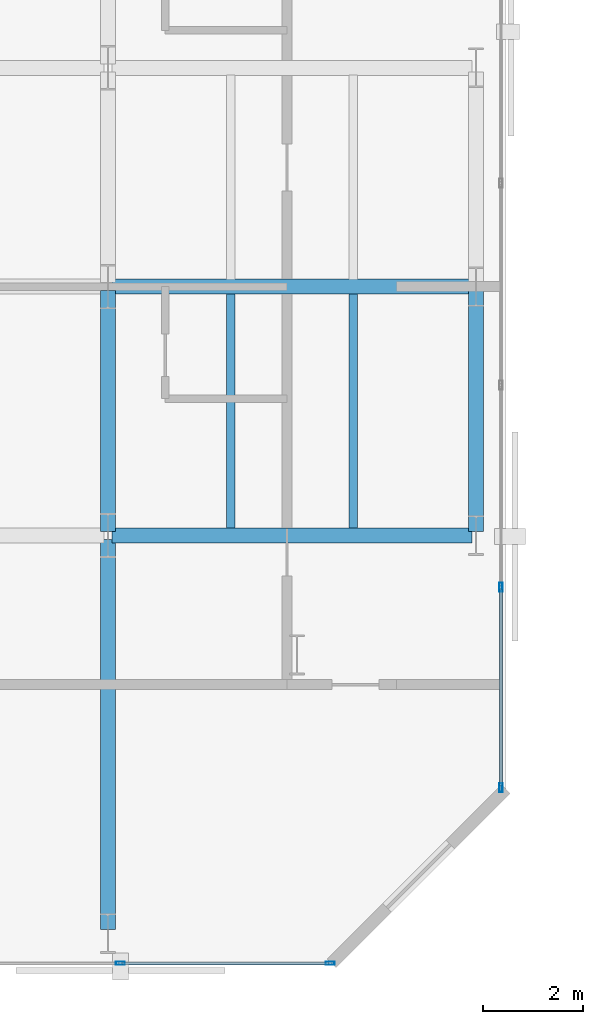
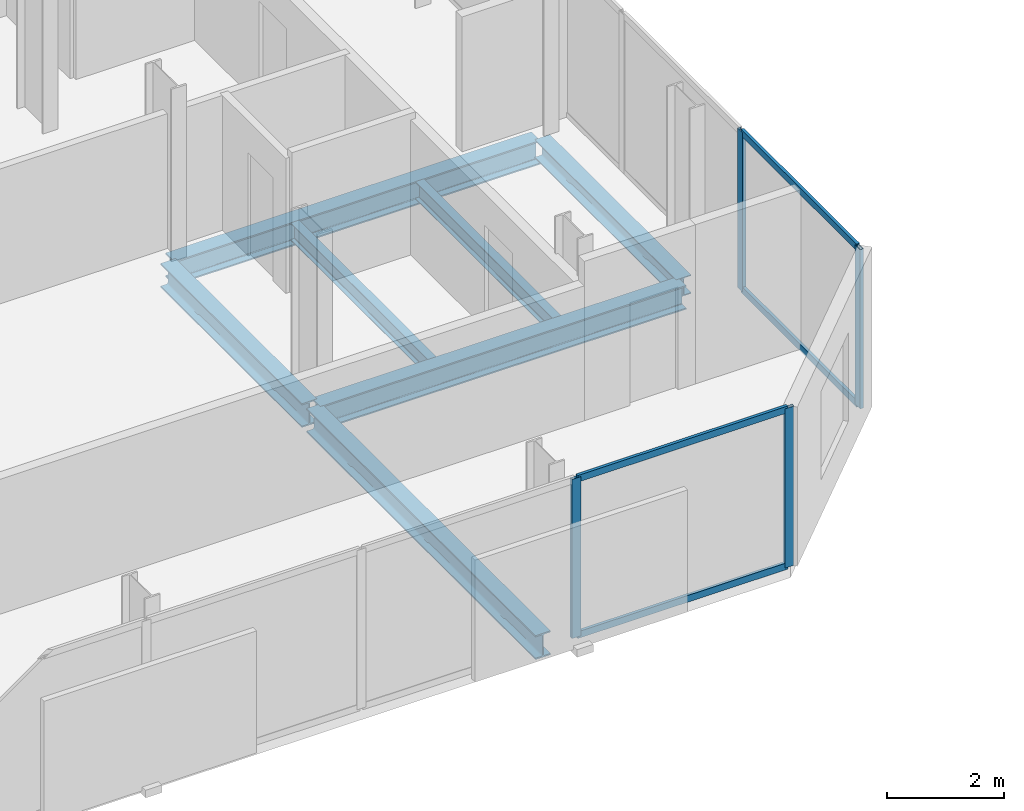
# One storey, part 7 of 33: 8 members, 7 beams, 2 elements without a shape of their own.
"""IFC4 building model written with IfcOpenShell, lengths in metres."""

from ifc_helpers import new_model, si_unit, direction, frame, origin, origin_2d, place, context, subcontext, project, spatial, hollow_rectangle, i_section, extrude, material, layer, layer_set, material_profile, profile_set, type_object, element, aggregate, save


model = new_model("IFC4")

# Units and contexts
model_context = context("Model", 3, precision=1e-05, world=origin(), true_north=direction((0.0, 1.0)))
body_context = subcontext(model_context, "Body", "Model", "MODEL_VIEW")
ifc_project = project(units=[si_unit("LENGTHUNIT", "METRE"), si_unit("AREAUNIT", "SQUARE_METRE"), si_unit("VOLUMEUNIT", "CUBIC_METRE"), si_unit("PLANEANGLEUNIT", "RADIAN"), si_unit("MASSUNIT", "GRAM", prefix="KILO")], contexts=[model_context])

# Site, building, storey
site_placement = place(None, origin())
site = spatial("IfcSite", under=ifc_project, at=site_placement, CompositionType="ELEMENT")
building_placement = place(site_placement, origin())
building = spatial("IfcBuilding", under=site, at=building_placement, Name="Catumbela Crestline Tower", CompositionType="ELEMENT")
storey_placement = place(building_placement, frame((0.0, 0.0, 51.0)))
storey = spatial("IfcBuildingStorey", under=building, at=storey_placement, Name="L12", CompositionType="ELEMENT", Elevation=51.0)

# Beams
ifc_material_1 = material(Name="Structural steel S355J2", Category="steel")
ifc_material_profile_1 = material_profile(ifc_material_1, i_section(OverallWidth=0.3, OverallDepth=0.5, WebThickness=0.0145, FlangeThickness=0.028, FilletRadius=0.027, at=origin_2d()), Name="HEB 500")
ifc_profile_set_1 = profile_set([ifc_material_profile_1], Name="Structural steel S355J2")
beam_type_1 = type_object("IfcBeamType", Name="BG-HEB500", PredefinedType="BEAM", material=ifc_profile_set_1)
for number, where, z_axis, x_axis, name in (
    (1, (16.08, 8.6, -0.51), (1.0, 0.0, 0.0), (0.0, 1.0, 0.0), "L12 Beam BM-L12-WEW50"),
    (2, (16.08, 13.6, -0.51), (1.0, 0.0, 0.0), (0.0, 1.0, 0.0), "L12 Beam BM-L12-WEW53"),
):
    element("IfcBeam", number, at=place(storey_placement, frame(where, z_axis=z_axis, x_axis=x_axis)), inside=storey, type_object=beam_type_1, Name=name, PredefinedType="BEAM", context=body_context, shape_type="SweptSolid", body=[
        extrude(i_section(OverallWidth=0.3, OverallDepth=0.5, WebThickness=0.0145, FlangeThickness=0.028, FilletRadius=0.027, at=origin_2d()), origin(), (0.0, 0.0, 1.0), 7.24),
    ])
beam_1_placement = place(storey_placement, frame((16.0, 0.68, -0.51), z_axis=(0.0, 1.0, 0.0), x_axis=(-1.0, 0.0, 0.0)))
element("IfcBeam", 3, at=beam_1_placement, inside=storey, type_object=beam_type_1, Name="L12 Beam BM-L12-WNS64", PredefinedType="BEAM", context=body_context, shape_type="SweptSolid", body=[
    extrude(i_section(OverallWidth=0.3, OverallDepth=0.5, WebThickness=0.0145, FlangeThickness=0.028, FilletRadius=0.027, at=origin_2d()), origin(), (0.0, 0.0, 1.0), 7.84),
])
beam_2_placement = place(storey_placement, frame((16.0, 8.68, -0.51), z_axis=(0.0, 1.0, 0.0), x_axis=(-1.0, 0.0, 0.0)))
element("IfcBeam", 4, at=beam_2_placement, inside=storey, type_object=beam_type_1, Name="L12 Beam BM-L12-WNS65", PredefinedType="BEAM", context=body_context, shape_type="SweptSolid", body=[
    extrude(i_section(OverallWidth=0.3, OverallDepth=0.5, WebThickness=0.0145, FlangeThickness=0.028, FilletRadius=0.027, at=origin_2d()), origin(), (0.0, 0.0, 1.0), 4.84),
])
ifc_material_profile_2 = material_profile(ifc_material_1, i_section(OverallWidth=0.17, OverallDepth=0.36, WebThickness=0.008, FlangeThickness=0.0127, FilletRadius=0.018, at=origin_2d()), Name="IPE 360")
ifc_profile_set_2 = profile_set([ifc_material_profile_2], Name="Structural steel S355J2")
beam_type_2 = type_object("IfcBeamType", Name="BJ-IPE360", PredefinedType="JOIST", material=ifc_profile_set_2)
for number, where, z_axis, x_axis, name in (
    (5, (18.467, 8.747, -0.44), (0.0, 1.0, 0.0), (-1.0, 0.0, 0.0), "L12 Joist JS-L12-WG74"),
    (6, (20.933, 8.747, -0.44), (0.0, 1.0, 0.0), (-1.0, 0.0, 0.0), "L12 Joist JS-L12-WG75"),
):
    element("IfcBeam", number, at=place(storey_placement, frame(where, z_axis=z_axis, x_axis=x_axis)), inside=storey, type_object=beam_type_2, Name=name, PredefinedType="JOIST", context=body_context, shape_type="SweptSolid", body=[
        extrude(i_section(OverallWidth=0.17, OverallDepth=0.36, WebThickness=0.008, FlangeThickness=0.0127, FilletRadius=0.018, at=origin_2d()), origin(), (0.0, 0.0, 1.0), 4.706),
    ])

# Curtain wall, members
ifc_material_2 = material(Name="Aluminium alloy AW-6060-T66", Category="aluminium")
ifc_layer = layer(ifc_material_2, 0.18, Name="Aluminium alloy AW-6060-T66")
ifc_layer_set = layer_set([ifc_layer], Name="Aluminium alloy AW-6060-T66")
curtain_wall_type = type_object("IfcCurtainWallType", Name="CWU-Z1", PredefinedType="USERDEFINED", material=ifc_layer_set)
curtain_wall_1_placement = place(storey_placement, origin())
curtain_wall_1 = element("IfcCurtainWall", 7, at=curtain_wall_1_placement, inside=storey, type_object=curtain_wall_type, Name="L12 Unitised Curtain Wall CW-L12-E0S1", ObjectType="UNITISED", PredefinedType="USERDEFINED")
ifc_material_profile_3 = material_profile(ifc_material_2, hollow_rectangle(XDim=0.065, YDim=0.18, WallThickness=0.004, at=origin_2d()), Name="ALU 180x65x4")
ifc_profile_set_3 = profile_set([ifc_material_profile_3], Name="Aluminium alloy AW-6060-T66")
member_type_1 = type_object("IfcMemberType", Name="MUL-180X65", PredefinedType="MULLION", material=ifc_profile_set_3)
member_1_placement = place(storey_placement, frame((16.25, 0.0, 0.0), z_axis=(0.0, 0.0, 1.0), x_axis=(0.0, 1.0, 0.0)))
member_1 = element("IfcMember", 8, at=member_1_placement, type_object=member_type_1, Name="CWU-Z1 mullion 4", PredefinedType="MULLION", context=body_context, shape_type="SweptSolid", body=[
    extrude(hollow_rectangle(XDim=0.065, YDim=0.18, WallThickness=0.004, at=origin_2d()), origin(), (0.0, 0.0, 1.0), 3.33),
])
member_2_placement = place(storey_placement, frame((20.4675, 0.0, 0.0), z_axis=(0.0, 0.0, 1.0), x_axis=(0.0, 1.0, 0.0)))
member_2 = element("IfcMember", 9, at=member_2_placement, type_object=member_type_1, Name="CWU-Z1 mullion 5", PredefinedType="MULLION", context=body_context, shape_type="SweptSolid", body=[
    extrude(hollow_rectangle(XDim=0.065, YDim=0.18, WallThickness=0.004, at=origin_2d()), origin(), (0.0, 0.0, 1.0), 3.33),
])

curtain_wall_2_placement = place(storey_placement, origin())
curtain_wall_2 = element("IfcCurtainWall", 10, at=curtain_wall_2_placement, inside=storey, type_object=curtain_wall_type, Name="L12 Unitised Curtain Wall CW-L12-E2S1", ObjectType="UNITISED", PredefinedType="USERDEFINED")
member_3_placement = place(storey_placement, frame((23.9, 3.5325, 0.0), z_axis=(0.0, 0.0, 1.0), x_axis=(-1.0, 0.0, 0.0)))
member_3 = element("IfcMember", 11, at=member_3_placement, type_object=member_type_1, Name="CWU-Z1 mullion 1", PredefinedType="MULLION", context=body_context, shape_type="SweptSolid", body=[
    extrude(hollow_rectangle(XDim=0.065, YDim=0.18, WallThickness=0.004, at=origin_2d()), origin(), (0.0, 0.0, 1.0), 3.33),
])
member_4_placement = place(storey_placement, frame((23.9, 7.56, 0.0), z_axis=(0.0, 0.0, 1.0), x_axis=(-1.0, 0.0, 0.0)))
member_4 = element("IfcMember", 12, at=member_4_placement, type_object=member_type_1, Name="CWU-Z1 mullion 2", PredefinedType="MULLION", context=body_context, shape_type="SweptSolid", body=[
    extrude(hollow_rectangle(XDim=0.065, YDim=0.18, WallThickness=0.004, at=origin_2d()), origin(), (0.0, 0.0, 1.0), 3.33),
])

# Beam
ifc_material_profile_4 = material_profile(ifc_material_1, i_section(OverallWidth=0.3, OverallDepth=0.39, WebThickness=0.011, FlangeThickness=0.019, FilletRadius=0.027, at=origin_2d()), Name="HEA 400")
ifc_profile_set_4 = profile_set([ifc_material_profile_4], Name="Structural steel S355J2")
beam_type_3 = type_object("IfcBeamType", Name="BS-HEA400", PredefinedType="SPANDREL", material=ifc_profile_set_4)
beam_3_placement = place(storey_placement, frame((23.4, 8.68, -0.455), z_axis=(0.0, 1.0, 0.0), x_axis=(-1.0, 0.0, 0.0)))
element("IfcBeam", 13, at=beam_3_placement, inside=storey, type_object=beam_type_3, Name="L12 Spandrel SP-L12-WNS68", PredefinedType="SPANDREL", context=body_context, shape_type="SweptSolid", body=[
    extrude(i_section(OverallWidth=0.3, OverallDepth=0.39, WebThickness=0.011, FlangeThickness=0.019, FilletRadius=0.027, at=origin_2d()), origin(), (0.0, 0.0, 1.0), 4.84),
])

# Member
ifc_material_profile_5 = material_profile(ifc_material_2, hollow_rectangle(XDim=0.06, YDim=0.14, WallThickness=0.004, at=origin_2d()), Name="ALU 140x60x4")
ifc_profile_set_5 = profile_set([ifc_material_profile_5], Name="Aluminium alloy AW-6060-T66")
member_type_2 = type_object("IfcMemberType", Name="TRN-140X60", PredefinedType="USERDEFINED", material=ifc_profile_set_5)
member_5_placement = place(storey_placement, frame((16.2825, 0.0, 0.03), z_axis=(1.0, 0.0, 0.0), x_axis=(0.0, 1.0, 0.0)))
member_5 = element("IfcMember", 14, at=member_5_placement, type_object=member_type_2, Name="CWU-Z1 transom 4.1", ObjectType="TRANSOM", PredefinedType="USERDEFINED", context=body_context, shape_type="SweptSolid", body=[
    extrude(hollow_rectangle(XDim=0.06, YDim=0.14, WallThickness=0.004, at=origin_2d()), origin(), (0.0, 0.0, 1.0), 4.1525),
])

member_6_placement = place(storey_placement, frame((16.2825, 0.0, 3.3), z_axis=(1.0, 0.0, 0.0), x_axis=(0.0, 1.0, 0.0)))
member_6 = element("IfcMember", 15, at=member_6_placement, type_object=member_type_2, Name="CWU-Z1 transom 4.2", ObjectType="TRANSOM", PredefinedType="USERDEFINED", context=body_context, shape_type="SweptSolid", body=[
    extrude(hollow_rectangle(XDim=0.06, YDim=0.14, WallThickness=0.004, at=origin_2d()), origin(), (0.0, 0.0, 1.0), 4.1525),
])

aggregate(curtain_wall_1, [member_1, member_2, member_5, member_6])

member_7_placement = place(storey_placement, frame((23.9, 3.565, 0.03), z_axis=(0.0, 1.0, 0.0), x_axis=(-1.0, 0.0, 0.0)))
member_7 = element("IfcMember", 16, at=member_7_placement, type_object=member_type_2, Name="CWU-Z1 transom 1.1", ObjectType="TRANSOM", PredefinedType="USERDEFINED", context=body_context, shape_type="SweptSolid", body=[
    extrude(hollow_rectangle(XDim=0.06, YDim=0.14, WallThickness=0.004, at=origin_2d()), origin(), (0.0, 0.0, 1.0), 3.9625),
])

member_8_placement = place(storey_placement, frame((23.9, 3.565, 3.3), z_axis=(0.0, 1.0, 0.0), x_axis=(-1.0, 0.0, 0.0)))
member_8 = element("IfcMember", 17, at=member_8_placement, type_object=member_type_2, Name="CWU-Z1 transom 1.2", ObjectType="TRANSOM", PredefinedType="USERDEFINED", context=body_context, shape_type="SweptSolid", body=[
    extrude(hollow_rectangle(XDim=0.06, YDim=0.14, WallThickness=0.004, at=origin_2d()), origin(), (0.0, 0.0, 1.0), 3.9625),
])

aggregate(curtain_wall_2, [member_3, member_4, member_7, member_8])

save(model, "model.ifc")
